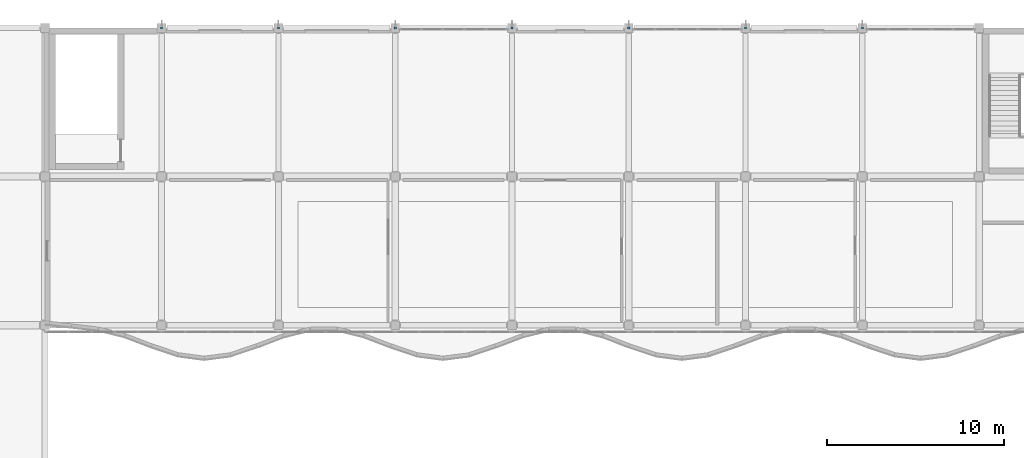
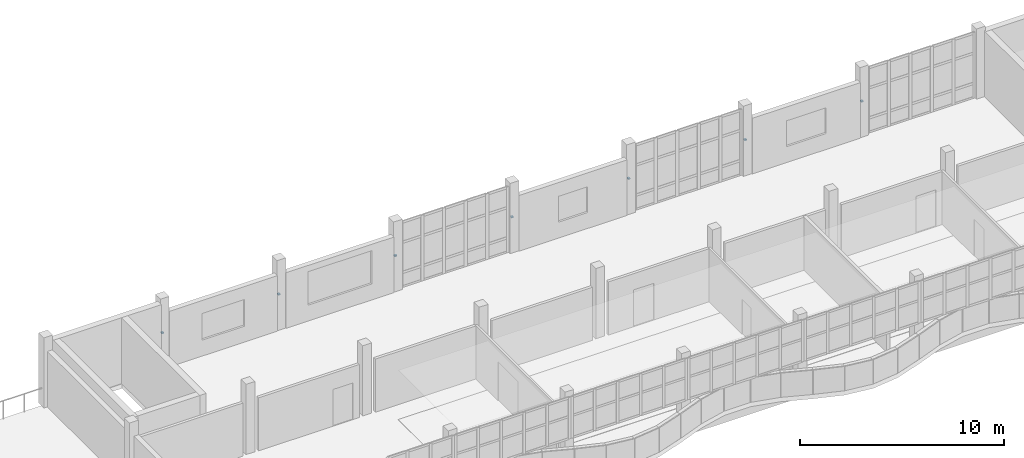
# One storey, part 66 of 78: 7 discrete accessories.
"""IFC4 building model written with IfcOpenShell, lengths in metres."""

from ifc_helpers import new_model, si_unit, direction, frame, origin, origin_2d, place, context, subcontext, project, spatial, rectangle, extrude, material, layer, layer_set, type_object, element, save


model = new_model("IFC4")

# Units and contexts
model_context = context("Model", 3, precision=1e-05, world=origin(), true_north=direction((0.0, 1.0)))
body_context = subcontext(model_context, "Body", "Model", "MODEL_VIEW")
ifc_project = project(units=[si_unit("LENGTHUNIT", "METRE"), si_unit("AREAUNIT", "SQUARE_METRE"), si_unit("VOLUMEUNIT", "CUBIC_METRE"), si_unit("PLANEANGLEUNIT", "RADIAN"), si_unit("MASSUNIT", "GRAM", prefix="KILO")], contexts=[model_context])

# Site, building, storey
site_placement = place(None, origin())
site = spatial("IfcSite", under=ifc_project, at=site_placement, CompositionType="ELEMENT")
building_placement = place(site_placement, origin())
building = spatial("IfcBuilding", under=site, at=building_placement, Name="Qaldarim Faculty of Natural and Applied Sciences", CompositionType="ELEMENT")
storey_placement = place(building_placement, frame((0.0, 0.0, 18.60009765625)))
storey = spatial("IfcBuildingStorey", under=building, at=storey_placement, Name="L04", CompositionType="ELEMENT", Elevation=18.60009765625)

# Discrete accessories
ifc_material = material(Name="Architectural stainless steel 316", Category="steel")
ifc_layer = layer(ifc_material, 0.080078125)
ifc_layer_set = layer_set([ifc_layer], Name="Architectural stainless steel 316")
discrete_accessory_type = type_object("IfcDiscreteAccessoryType", Name="FacadeBracket-SS120", PredefinedType="BRACKET", material=ifc_layer_set)
for number, where, z_axis, x_axis, name in (
    (1, (52.800048828125, 117.60009765625, 1.929931640625), (0.0, 0.0, 1.0), (1.0, 0.0, 0.0), "North fin bracket FIN-V4N-L04-X09"),
    (2, (59.39990234375, 117.60009765625, 1.929931640625), (0.0, 0.0, 1.0), (1.0, 0.0, 0.0), "North fin bracket FIN-V4N-L04-X10"),
    (3, (66.0, 117.60009765625, 1.929931640625), (0.0, 0.0, 1.0), (1.0, 0.0, 0.0), "North fin bracket FIN-V4N-L04-X11"),
    (4, (72.60009765625, 117.60009765625, 1.929931640625), (0.0, 0.0, 1.0), (1.0, 0.0, 0.0), "North fin bracket FIN-V4N-L04-X12"),
    (5, (79.199951171875, 117.60009765625, 1.929931640625), (0.0, 0.0, 1.0), (1.0, 0.0, 0.0), "North fin bracket FIN-V4N-L04-X13"),
    (6, (85.800048828125, 117.60009765625, 1.929931640625), (0.0, 0.0, 1.0), (1.0, 0.0, 0.0), "North fin bracket FIN-V4N-L04-X14"),
    (7, (92.39990234375, 117.60009765625, 1.929931640625), (0.0, 0.0, 1.0), (1.0, 0.0, 0.0), "North fin bracket FIN-V4N-L04-X15"),
):
    element("IfcDiscreteAccessory", number, at=place(storey_placement, frame(where, z_axis=z_axis, x_axis=x_axis)), inside=storey, type_object=discrete_accessory_type, Name=name, PredefinedType="BRACKET", context=body_context, shape_type="SweptSolid", body=[
        extrude(rectangle(XDim=0.1201171875, YDim=0.1201171875, at=origin_2d()), origin(), (0.0, 0.0, 1.0), 0.080078125),
    ])

save(model, "model.ifc")
